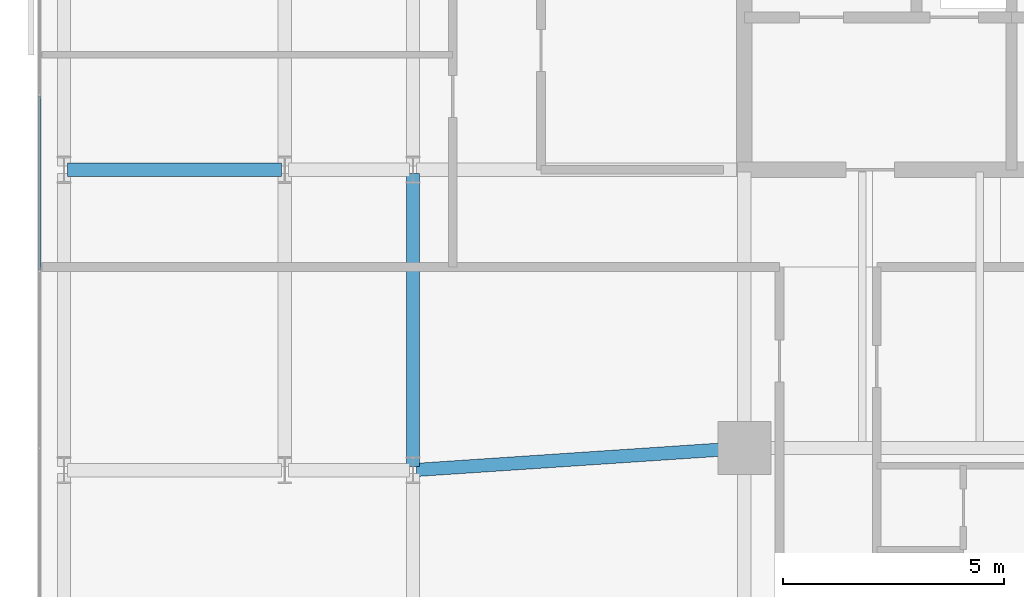
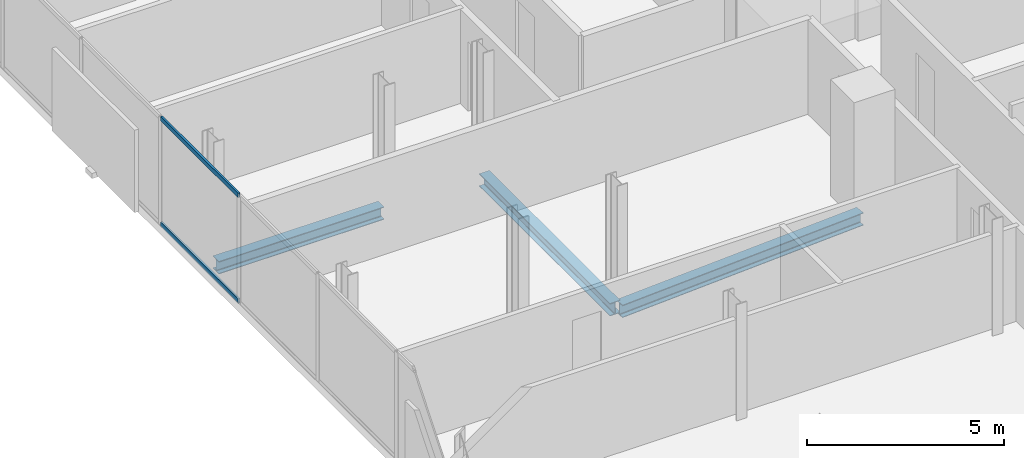
# One storey, part 10 of 32: 3 beams, 2 members, 1 element without a shape of its own.
"""IFC4 building model written with IfcOpenShell, lengths in metres."""

from ifc_helpers import new_model, si_unit, direction, frame, origin, origin_2d, place, context, subcontext, project, spatial, hollow_rectangle, i_section, extrude, material, layer, layer_set, material_profile, profile_set, type_object, element, aggregate, save


model = new_model("IFC4")

# Units and contexts
model_context = context("Model", 3, precision=1e-05, world=origin(), true_north=direction((0.0, 1.0)))
body_context = subcontext(model_context, "Body", "Model", "MODEL_VIEW")
ifc_project = project(units=[si_unit("LENGTHUNIT", "METRE"), si_unit("AREAUNIT", "SQUARE_METRE"), si_unit("VOLUMEUNIT", "CUBIC_METRE"), si_unit("PLANEANGLEUNIT", "RADIAN"), si_unit("MASSUNIT", "GRAM", prefix="KILO")], contexts=[model_context])

# Site, building, storey
site_placement = place(None, origin())
site = spatial("IfcSite", under=ifc_project, at=site_placement, CompositionType="ELEMENT")
building_placement = place(site_placement, origin())
building = spatial("IfcBuilding", under=site, at=building_placement, Name="Catumbela Crestline Tower", CompositionType="ELEMENT")
storey_placement = place(building_placement, frame((0.0, 0.0, 136.8)))
storey = spatial("IfcBuildingStorey", under=building, at=storey_placement, Name="L35", CompositionType="ELEMENT", Elevation=136.8)

# Beams
ifc_material_1 = material(Name="Structural steel S355J2", Category="steel")
ifc_material_profile_1 = material_profile(ifc_material_1, i_section(OverallWidth=0.3, OverallDepth=0.39, WebThickness=0.011, FlangeThickness=0.019, FilletRadius=0.027, at=origin_2d()), Name="HEA 400")
ifc_profile_set_1 = profile_set([ifc_material_profile_1], Name="Structural steel S355J2")
beam_type = type_object("IfcBeamType", Name="BG-HEA400", PredefinedType="BEAM", material=ifc_profile_set_1)
beam_1_placement = place(storey_placement, frame((8.5798, 24.0053, -0.455), z_axis=(0.997784796964, 0.066524423687, 0.0), x_axis=(-0.066524423687, 0.997784796964, 0.0)))
element("IfcBeam", 1, at=beam_1_placement, inside=storey, type_object=beam_type, Name="L35 Beam BM-L35-S03", PredefinedType="BEAM", context=body_context, shape_type="SweptSolid", body=[
    extrude(i_section(OverallWidth=0.3, OverallDepth=0.39, WebThickness=0.011, FlangeThickness=0.019, FilletRadius=0.027, at=origin_2d()), origin(), (0.0, 0.0, 1.0), 7.3567),
])
beam_2_placement = place(storey_placement, frame((0.68, 30.8, -0.455), z_axis=(1.0, 0.0, 0.0), x_axis=(0.0, 1.0, 0.0)))
element("IfcBeam", 2, at=beam_2_placement, inside=storey, type_object=beam_type, Name="L35 Beam BM-L35-M07", PredefinedType="BEAM", context=body_context, shape_type="SweptSolid", body=[
    extrude(i_section(OverallWidth=0.3, OverallDepth=0.39, WebThickness=0.011, FlangeThickness=0.019, FilletRadius=0.027, at=origin_2d()), origin(), (0.0, 0.0, 1.0), 4.84),
])
beam_3_placement = place(storey_placement, frame((8.5, 24.08, -0.455), z_axis=(0.0, 1.0, 0.0), x_axis=(-1.0, 0.0, 0.0)))
element("IfcBeam", 3, at=beam_3_placement, inside=storey, type_object=beam_type, Name="L35 Beam BM-L35-SN26", PredefinedType="BEAM", context=body_context, shape_type="SweptSolid", body=[
    extrude(i_section(OverallWidth=0.3, OverallDepth=0.39, WebThickness=0.011, FlangeThickness=0.019, FilletRadius=0.027, at=origin_2d()), origin(), (0.0, 0.0, 1.0), 6.64),
])

# Curtain wall, members
ifc_material_2 = material(Name="Aluminium alloy AW-6060-T66", Category="aluminium")
ifc_layer = layer(ifc_material_2, 0.18, Name="Aluminium alloy AW-6060-T66")
ifc_layer_set = layer_set([ifc_layer], Name="Aluminium alloy AW-6060-T66")
curtain_wall_type = type_object("IfcCurtainWallType", Name="CWU-Z2", PredefinedType="USERDEFINED", material=ifc_layer_set)
curtain_wall_placement = place(storey_placement, origin())
curtain_wall = element("IfcCurtainWall", 4, at=curtain_wall_placement, inside=storey, type_object=curtain_wall_type, Name="L35 Unitised Curtain Wall CW-L35-E9S1", ObjectType="UNITISED", PredefinedType="USERDEFINED")
ifc_material_profile_2 = material_profile(ifc_material_2, hollow_rectangle(XDim=0.06, YDim=0.14, WallThickness=0.004, at=origin_2d()), Name="ALU 140x60x4")
ifc_profile_set_2 = profile_set([ifc_material_profile_2], Name="Aluminium alloy AW-6060-T66")
member_type = type_object("IfcMemberType", Name="TRN-140X60", PredefinedType="USERDEFINED", material=ifc_profile_set_2)
member_1_placement = place(storey_placement, frame((0.05, 32.4675, 0.03), z_axis=(0.0, -1.0, 0.0), x_axis=(1.0, 0.0, 0.0)))
member_1 = element("IfcMember", 5, at=member_1_placement, type_object=member_type, Name="CWU-Z2 transom 4.1", ObjectType="TRANSOM", PredefinedType="USERDEFINED", context=body_context, shape_type="SweptSolid", body=[
    extrude(hollow_rectangle(XDim=0.06, YDim=0.14, WallThickness=0.004, at=origin_2d()), origin(), (0.0, 0.0, 1.0), 3.935),
])
member_2_placement = place(storey_placement, frame((0.05, 32.4675, 3.3), z_axis=(0.0, -1.0, 0.0), x_axis=(1.0, 0.0, 0.0)))
member_2 = element("IfcMember", 6, at=member_2_placement, type_object=member_type, Name="CWU-Z2 transom 4.2", ObjectType="TRANSOM", PredefinedType="USERDEFINED", context=body_context, shape_type="SweptSolid", body=[
    extrude(hollow_rectangle(XDim=0.06, YDim=0.14, WallThickness=0.004, at=origin_2d()), origin(), (0.0, 0.0, 1.0), 3.935),
])
aggregate(curtain_wall, [member_1, member_2])

save(model, "model.ifc")
